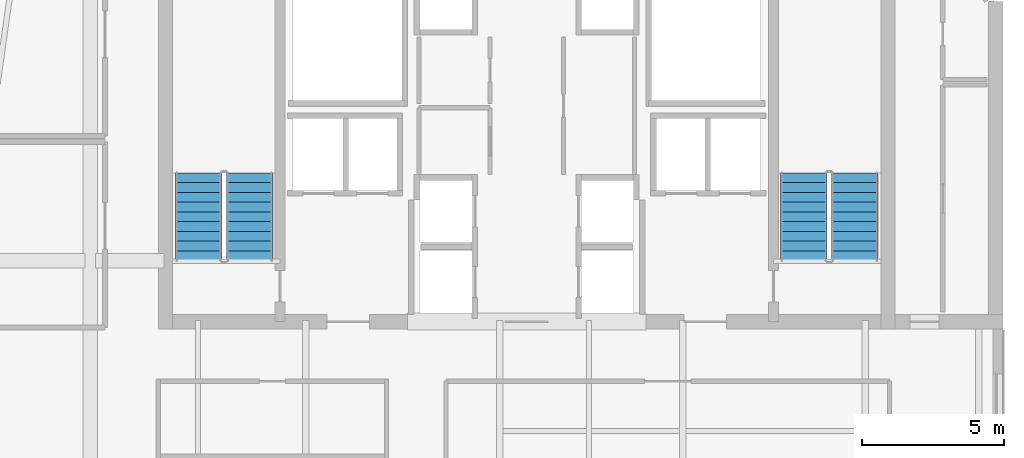
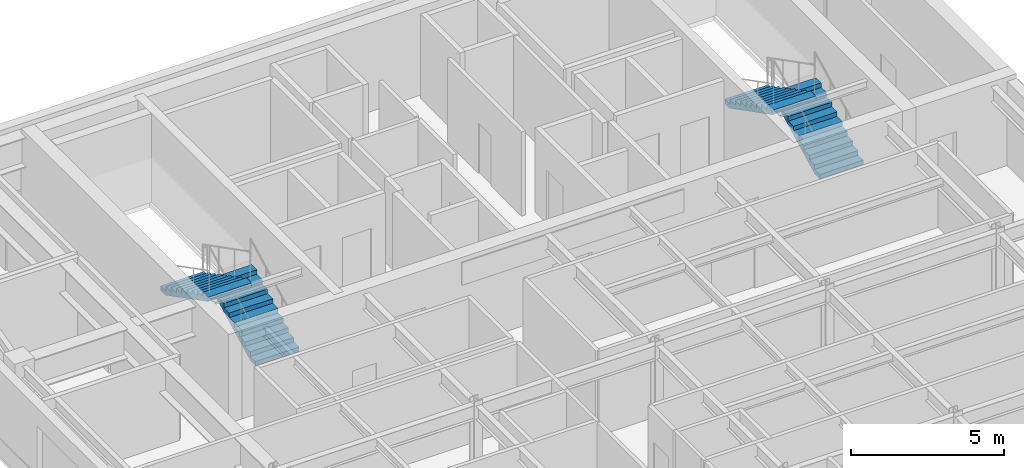
# One storey, part 8 of 12: 4 stair flights, 2 elements without a shape of their own.
"""IFC4 building model written with IfcOpenShell, lengths in metres."""

import ifcopenshell
import ifcopenshell.guid

model = None  # the IFC model being written
_history = None  # IfcOwnerHistory: only IFC2X3 demands one
_inside = {}  # id of a spatial element -> (the spatial element, [elements in it])
_under = {}  # id of a project, library or spatial element -> (it, [spatial elements below it])
_declared = {}  # id of a project -> (the project, [libraries it declares])
_typed = {}  # id of a type object -> (the type object, [elements of that type])
_made_of = {}  # id of a material, layer set ... -> (it, [elements and type objects made of it])


def new_model(schema):
    """Start an empty IFC model of exactly this schema.

    Asked for "IFC4X3", IfcOpenShell would pick the latest addendum, in which some entities
    have other attributes; the version numbers below select the first issue.
    IFC2X3 requires an IfcOwnerHistory on every rooted entity: one is made here for all.
    """
    global model, _history
    if schema == "IFC4X3":
        model = ifcopenshell.file(schema_version=(4, 3, 0, 0))
    else:
        model = ifcopenshell.file(schema=schema)
    _inside.clear()
    _under.clear()
    _declared.clear()
    _typed.clear()
    _made_of.clear()
    _history = None
    if model.schema == "IFC2X3":
        org = make("IfcOrganization", Name="unknown")
        user = make(
            "IfcPersonAndOrganization",
            ThePerson=make("IfcPerson", FamilyName="unknown"),
            TheOrganization=org,
        )
        app = make(
            "IfcApplication",
            ApplicationDeveloper=org,
            Version="unknown",
            ApplicationFullName="unknown",
            ApplicationIdentifier="unknown",
        )
        _history = make(
            "IfcOwnerHistory",
            OwningUser=user,
            OwningApplication=app,
            ChangeAction="ADDED",
            CreationDate=0,
        )
    return model


def make(cls, **values):
    """One entity of the class cls with the attributes given. An attribute that is None is left unset."""
    return model.create_entity(
        cls, **{name: value for name, value in values.items() if value is not None}
    )


def rooted(cls, **values):
    """An entity with a GlobalId (a new one), such as an element, a storey or a relation."""
    return make(cls, GlobalId=ifcopenshell.guid.new(), OwnerHistory=_history, **values)


def si_unit(unit_type, name, prefix=None):
    """IfcSIUnit, for example si_unit("LENGTHUNIT", "METRE", prefix="MILLI")."""
    return make("IfcSIUnit", UnitType=unit_type, Prefix=prefix, Name=name)


def assignment(units):
    """IfcUnitAssignment: the units of a project."""
    return None if units is None else make("IfcUnitAssignment", Units=units)


def point(xyz):
    """IfcCartesianPoint."""
    return None if xyz is None else make("IfcCartesianPoint", Coordinates=xyz)


def direction(xyz):
    """IfcDirection."""
    return None if xyz is None else make("IfcDirection", DirectionRatios=xyz)


def frame(location, z_axis=None, x_axis=None):
    """IfcAxis2Placement3D, a coordinate frame: its origin and axes. An axis left out is left unset."""
    return make(
        "IfcAxis2Placement3D",
        Location=point(location),
        Axis=direction(z_axis),
        RefDirection=direction(x_axis),
    )


def origin():
    """The frame at (0, 0, 0) with its axes left unset."""
    return frame((0.0, 0.0, 0.0))


def place(relative_to, where):
    """IfcLocalPlacement: puts the frame where relative to a parent placement (None: the world)."""
    return make(
        "IfcLocalPlacement", PlacementRelTo=relative_to, RelativePlacement=where
    )


def context(
    kind, dimensions, precision=None, world=None, true_north=None, identifier=None
):
    """IfcGeometricRepresentationContext, for example the 3D "Model" context."""
    return make(
        "IfcGeometricRepresentationContext",
        ContextIdentifier=identifier,
        ContextType=kind,
        CoordinateSpaceDimension=dimensions,
        Precision=precision,
        WorldCoordinateSystem=world,
        TrueNorth=true_north,
    )


def subcontext(parent, identifier, kind, view, scale=None):
    """IfcGeometricRepresentationSubContext, for example "Body" below "Model"."""
    return make(
        "IfcGeometricRepresentationSubContext",
        ContextIdentifier=identifier,
        ContextType=kind,
        ParentContext=parent,
        TargetScale=scale,
        TargetView=view,
    )


def project(units=None, contexts=None):
    """IfcProject with its units and contexts."""
    return rooted(
        "IfcProject",
        Name="project",
        RepresentationContexts=contexts,
        UnitsInContext=assignment(units),
    )


def spatial(cls, under=None, at=None, **own):
    """A site, building, storey or space (cls), placed at a placement, below another one or the project."""
    s = rooted(cls, ObjectPlacement=at, **own)
    if under is not None:
        _under.setdefault(under.id(), (under, []))[1].append(s)
    return s


def polyline(points):
    """IfcPolyline through the points."""
    return make("IfcPolyline", Points=[point(p) for p in points])


def outline(outer, holes=None, kind="AREA"):
    """IfcArbitraryClosedProfileDef: a profile drawn as a closed curve; with holes, ...WithVoids."""
    if holes is None:
        return make("IfcArbitraryClosedProfileDef", ProfileType=kind, OuterCurve=outer)
    return make(
        "IfcArbitraryProfileDefWithVoids",
        ProfileType=kind,
        OuterCurve=outer,
        InnerCurves=holes,
    )


def extrude(swept, where, along, depth):
    """IfcExtrudedAreaSolid: the profile swept, set in the frame where, extruded along a direction by depth."""
    return make(
        "IfcExtrudedAreaSolid",
        SweptArea=swept,
        Position=where,
        ExtrudedDirection=direction(along),
        Depth=depth,
    )


def shape(context_of_items, identifier, shape_type, items):
    """IfcShapeRepresentation: the items that make up one representation, for example the "Body"."""
    return make(
        "IfcShapeRepresentation",
        ContextOfItems=context_of_items,
        RepresentationIdentifier=identifier,
        RepresentationType=shape_type,
        Items=items,
    )


def material(Name=None, Category=None):
    """IfcMaterial."""
    return make("IfcMaterial", Name=Name, Category=Category)


def made_of(thing, what):
    """Note that an element or type object is made of a material, layer set ...; save() writes the relation."""
    if what is not None:
        _made_of.setdefault(what.id(), (what, []))[1].append(thing)
    return thing


def type_object(cls, material=None, **own):
    """A type object (cls), such as IfcWallType, which elements share."""
    return made_of(rooted(cls, **own), material)


def element(
    cls,
    number,
    at=None,
    inside=None,
    cuts=None,
    type_object=None,
    material=None,
    context=None,
    identifier="Body",
    shape_type=None,
    held_by="IfcProductDefinitionShape",
    body=None,
    shapes=None,
    **own,
):
    """One element of the class cls, such as IfcWall. Its Tag is "e" and its number.

    at: its placement. inside: the storey or other place that contains it. cuts: it is an
    opening in that element (IfcRelVoidsElement). A single representation is given by context,
    identifier, shape_type and body (its items); several are given by shapes. held_by: the class
    of the entity that holds the representations. save() writes the other relations.
    """
    e = rooted(cls, Tag="e%d" % number, ObjectPlacement=at, **own)
    if body is not None:
        shapes = [shape(context, identifier, shape_type, body)]
    if shapes is not None:
        e.Representation = make(held_by, Representations=shapes)
    if inside is not None:
        _inside.setdefault(inside.id(), (inside, []))[1].append(e)
    if cuts is not None:
        rooted(
            "IfcRelVoidsElement", RelatingBuildingElement=cuts, RelatedOpeningElement=e
        )
    if type_object is not None:
        _typed.setdefault(type_object.id(), (type_object, []))[1].append(e)
    return made_of(e, material)


def aggregate(whole, parts):
    """IfcRelAggregates: a whole, such as a stair, and the parts it consists of."""
    return rooted("IfcRelAggregates", RelatingObject=whole, RelatedObjects=parts)


def save(model, path):
    """Write the relations noted so far, then the file.

    IfcRelAggregates (storeys below a building ...), IfcRelContainedInSpatialStructure (elements
    in a storey), IfcRelDefinesByType, IfcRelAssociatesMaterial and IfcRelDeclares: one each for
    every whole, place, type object, material and project.
    """
    for whole, parts in _under.values():
        aggregate(whole, parts)
    for where, things in _inside.values():
        rooted(
            "IfcRelContainedInSpatialStructure",
            RelatedElements=things,
            RelatingStructure=where,
        )
    for kind, things in _typed.values():
        rooted("IfcRelDefinesByType", RelatedObjects=things, RelatingType=kind)
    for what, things in _made_of.values():
        rooted("IfcRelAssociatesMaterial", RelatedObjects=things, RelatingMaterial=what)
    for by, libraries in _declared.values():
        rooted("IfcRelDeclares", RelatingContext=by, RelatedDefinitions=libraries)
    model.write(path)


model = new_model("IFC4")

# Units and contexts
model_context = context("Model", 3, precision=1e-05, world=origin(), true_north=direction((0.0, 1.0)))
body_context = subcontext(model_context, "Body", "Model", "MODEL_VIEW")
ifc_project = project(units=[si_unit("LENGTHUNIT", "METRE"), si_unit("AREAUNIT", "SQUARE_METRE"), si_unit("VOLUMEUNIT", "CUBIC_METRE"), si_unit("PLANEANGLEUNIT", "RADIAN"), si_unit("MASSUNIT", "GRAM", prefix="KILO")], contexts=[model_context])

# Site, building, storey
site_placement = place(None, origin())
site = spatial("IfcSite", under=ifc_project, at=site_placement, CompositionType="ELEMENT")
building_placement = place(site_placement, origin())
building = spatial("IfcBuilding", under=site, at=building_placement, Name="Tolvann Quenvar Hotel", CompositionType="ELEMENT")
storey_placement = place(building_placement, frame((0.0, 0.0, 213.25)))
storey = spatial("IfcBuildingStorey", under=building, at=storey_placement, Name="L56", CompositionType="ELEMENT", Elevation=213.25)

# Stair, stair flights
ifc_material = material(Name="Concrete N40 (40 MPa)", Category="concrete")
stair_type = type_object("IfcStairType", Name="STAIR", PredefinedType="HALF_TURN_STAIR", material=ifc_material)
stair_1_placement = place(storey_placement, origin())
stair_1 = element("IfcStair", 1, at=stair_1_placement, inside=storey, type_object=stair_type, Name="L56 ST-C1", PredefinedType="HALF_TURN_STAIR")
stair_flight_type = type_object("IfcStairFlightType", Name="STAIR_FLIGHT", PredefinedType="STRAIGHT", material=ifc_material)
stair_flight_1_placement = place(storey_placement, frame((13.22509765625, 34.0, 0.0), z_axis=(0.0, 0.0, 1.0), x_axis=(0.0, 1.0, 0.0)))
stair_flight_1 = element("IfcStairFlight", 2, at=stair_flight_1_placement, type_object=stair_flight_type, Name="ST-C1 flight 1", NumberOfRisers=10, NumberOfTreads=9, PredefinedType="STRAIGHT", RiserHeight=0.1775, TreadLength=0.345, context=body_context, shape_type="SweptSolid", body=[
    extrude(outline(polyline([(0.0, 0.0), (0.0, 0.177490234375), (0.344970703125, 0.177490234375), (0.344970703125, 0.35498046875), (0.68994140625, 0.35498046875), (0.68994140625, 0.532470703125), (1.034912109375, 0.532470703125), (1.034912109375, 0.7099609375), (1.3798828125, 0.7099609375), (1.3798828125, 0.887451171875), (1.72509765625, 0.887451171875), (1.72509765625, 1.06494140625), (2.070068359375, 1.06494140625), (2.070068359375, 1.242431640625), (2.4150390625, 1.242431640625), (2.4150390625, 1.419921875), (2.760009765625, 1.419921875), (2.760009765625, 1.597412109375), (3.10498046875, 1.597412109375), (3.10498046875, 1.77490234375), (3.10498046875, 1.428955078125), (0.32763671875, 0.0), (0.0, 0.0)])), frame((0.0, 0.824951171875, 0.0), z_axis=(0.0, -1.0, 0.0), x_axis=(1.0, 0.0, 0.0)), (0.0, 0.0, 1.0), 1.64990234375),
])
stair_flight_2_placement = place(storey_placement, frame((11.425048828125, 37.10498046875, 1.77490234375), z_axis=(0.0, 0.0, 1.0), x_axis=(0.0, -1.0, 0.0)))
stair_flight_2 = element("IfcStairFlight", 3, at=stair_flight_2_placement, type_object=stair_flight_type, Name="ST-C1 flight 2", NumberOfRisers=10, NumberOfTreads=9, PredefinedType="STRAIGHT", RiserHeight=0.1775, TreadLength=0.345, context=body_context, shape_type="SweptSolid", body=[
    extrude(outline(polyline([(0.0, 0.0), (0.0, 0.177490234375), (0.344970703125, 0.177490234375), (0.344970703125, 0.35498046875), (0.68994140625, 0.35498046875), (0.68994140625, 0.532470703125), (1.034912109375, 0.532470703125), (1.034912109375, 0.7099609375), (1.3798828125, 0.7099609375), (1.3798828125, 0.887451171875), (1.72509765625, 0.887451171875), (1.72509765625, 1.06494140625), (2.070068359375, 1.06494140625), (2.070068359375, 1.242431640625), (2.4150390625, 1.242431640625), (2.4150390625, 1.419921875), (2.760009765625, 1.419921875), (2.760009765625, 1.597412109375), (3.10498046875, 1.597412109375), (3.10498046875, 1.77490234375), (3.10498046875, 1.428955078125), (0.32763671875, 0.0), (0.0, 0.0)])), frame((0.0, 0.824951171875, 0.0), z_axis=(0.0, -1.0, 0.0), x_axis=(1.0, 0.0, 0.0)), (0.0, 0.0, 1.0), 1.64990234375),
])
aggregate(stair_1, [stair_flight_1, stair_flight_2])

stair_2_placement = place(storey_placement, origin())
stair_2 = element("IfcStair", 4, at=stair_2_placement, inside=storey, type_object=stair_type, Name="L56 ST-C2", PredefinedType="HALF_TURN_STAIR")
stair_flight_3_placement = place(storey_placement, frame((34.574951171875, 34.0, 0.0), z_axis=(0.0, 0.0, 1.0), x_axis=(0.0, 1.0, 0.0)))
stair_flight_3 = element("IfcStairFlight", 5, at=stair_flight_3_placement, type_object=stair_flight_type, Name="ST-C2 flight 1", NumberOfRisers=10, NumberOfTreads=9, PredefinedType="STRAIGHT", RiserHeight=0.1775, TreadLength=0.345, context=body_context, shape_type="SweptSolid", body=[
    extrude(outline(polyline([(0.0, 0.0), (0.0, 0.177490234375), (0.344970703125, 0.177490234375), (0.344970703125, 0.35498046875), (0.68994140625, 0.35498046875), (0.68994140625, 0.532470703125), (1.034912109375, 0.532470703125), (1.034912109375, 0.7099609375), (1.3798828125, 0.7099609375), (1.3798828125, 0.887451171875), (1.72509765625, 0.887451171875), (1.72509765625, 1.06494140625), (2.070068359375, 1.06494140625), (2.070068359375, 1.242431640625), (2.4150390625, 1.242431640625), (2.4150390625, 1.419921875), (2.760009765625, 1.419921875), (2.760009765625, 1.597412109375), (3.10498046875, 1.597412109375), (3.10498046875, 1.77490234375), (3.10498046875, 1.428955078125), (0.32763671875, 0.0), (0.0, 0.0)])), frame((0.0, 0.824951171875, 0.0), z_axis=(0.0, -1.0, 0.0), x_axis=(1.0, 0.0, 0.0)), (0.0, 0.0, 1.0), 1.64990234375),
])
stair_flight_4_placement = place(storey_placement, frame((32.77490234375, 37.10498046875, 1.77490234375), z_axis=(0.0, 0.0, 1.0), x_axis=(0.0, -1.0, 0.0)))
stair_flight_4 = element("IfcStairFlight", 6, at=stair_flight_4_placement, type_object=stair_flight_type, Name="ST-C2 flight 2", NumberOfRisers=10, NumberOfTreads=9, PredefinedType="STRAIGHT", RiserHeight=0.1775, TreadLength=0.345, context=body_context, shape_type="SweptSolid", body=[
    extrude(outline(polyline([(0.0, 0.0), (0.0, 0.177490234375), (0.344970703125, 0.177490234375), (0.344970703125, 0.35498046875), (0.68994140625, 0.35498046875), (0.68994140625, 0.532470703125), (1.034912109375, 0.532470703125), (1.034912109375, 0.7099609375), (1.3798828125, 0.7099609375), (1.3798828125, 0.887451171875), (1.72509765625, 0.887451171875), (1.72509765625, 1.06494140625), (2.070068359375, 1.06494140625), (2.070068359375, 1.242431640625), (2.4150390625, 1.242431640625), (2.4150390625, 1.419921875), (2.760009765625, 1.419921875), (2.760009765625, 1.597412109375), (3.10498046875, 1.597412109375), (3.10498046875, 1.77490234375), (3.10498046875, 1.428955078125), (0.32763671875, 0.0), (0.0, 0.0)])), frame((0.0, 0.824951171875, 0.0), z_axis=(0.0, -1.0, 0.0), x_axis=(1.0, 0.0, 0.0)), (0.0, 0.0, 1.0), 1.64990234375),
])
aggregate(stair_2, [stair_flight_3, stair_flight_4])

save(model, "model.ifc")
